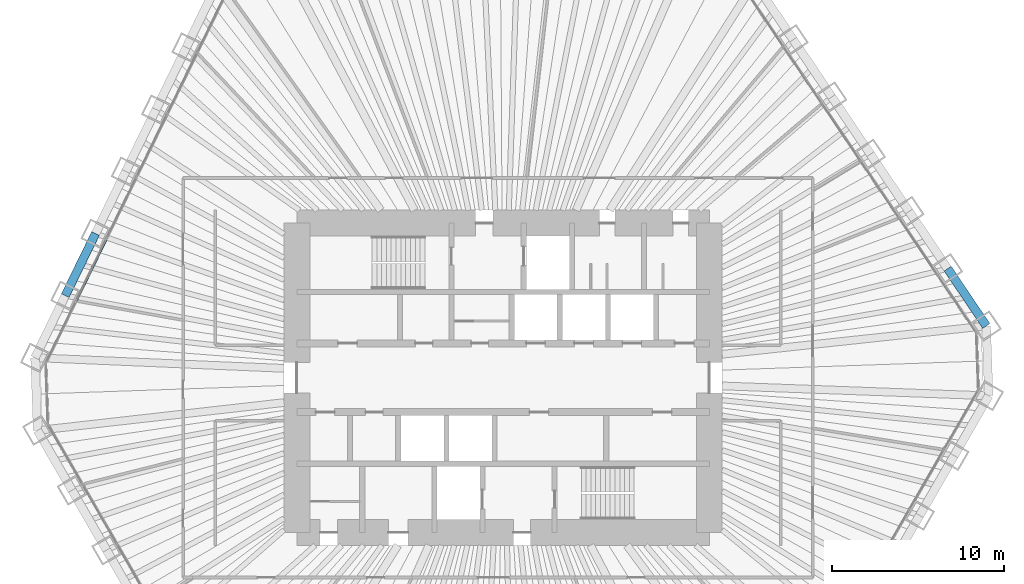
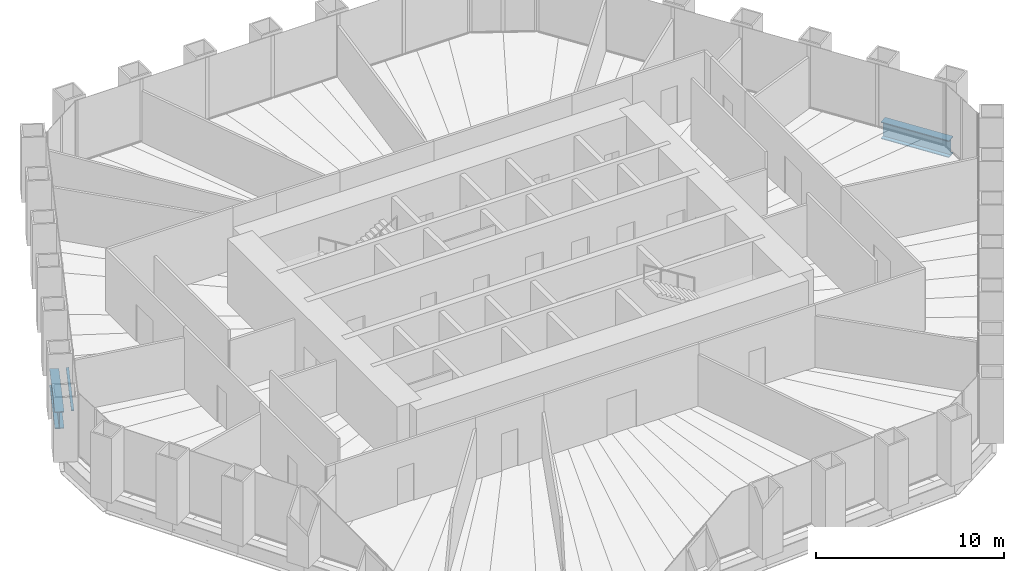
# One storey, part 5 of 13: 2 beams, 1 member, 1 element without a shape of its own.
"""IFC4 building model written with IfcOpenShell, lengths in metres."""

from ifc_helpers import new_model, si_unit, direction, frame, origin, origin_2d, place, context, subcontext, project, spatial, rectangle, i_section, extrude, material, material_profile, profile_set, type_object, element, aggregate, save


model = new_model("IFC4")

# Units and contexts
model_context = context("Model", 3, precision=1e-05, world=origin(), true_north=direction((0.0, 1.0)))
body_context = subcontext(model_context, "Body", "Model", "MODEL_VIEW")
ifc_project = project(units=[si_unit("LENGTHUNIT", "METRE"), si_unit("AREAUNIT", "SQUARE_METRE"), si_unit("VOLUMEUNIT", "CUBIC_METRE"), si_unit("PLANEANGLEUNIT", "RADIAN"), si_unit("MASSUNIT", "GRAM", prefix="KILO")], contexts=[model_context])

# Site, building, storey
site_placement = place(None, origin())
site = spatial("IfcSite", under=ifc_project, at=site_placement, CompositionType="ELEMENT")
building_placement = place(site_placement, origin())
building = spatial("IfcBuilding", under=site, at=building_placement, Name="Qingtian Harvest Tower", CompositionType="ELEMENT")
storey_placement = place(building_placement, frame((0.0, 0.0, 149.199951171875)))
storey = spatial("IfcBuildingStorey", under=building, at=storey_placement, Name="L31", CompositionType="ELEMENT", Elevation=149.199951171875)

# Beams
ifc_material_1 = material(Name="Steel SM570MC", Category="steel")
ifc_material_profile_1 = material_profile(ifc_material_1, i_section(OverallWidth=0.5, OverallDepth=1.10009765625, WebThickness=0.02490234375, FlangeThickness=0.050048828125, at=origin_2d()), Name="H1100x500x25x50")
ifc_profile_set_1 = profile_set([ifc_material_profile_1], Name="Steel SM570MC")
beam_type = type_object("IfcBeamType", Name="Spandrel beam SB2 H1100x500x25x50", PredefinedType="SPANDREL", material=ifc_profile_set_1)
for number, where, z_axis, x_axis, name in (
    (1, (25.8720703125, 6.3505859375, -0.550048828125), (0.55916400171, -0.829057066306, 0.0), (0.829057066306, 0.55916400171, 0.0), "Spandrel SB2 NE5"),
    (2, (-25.483154296875, 4.78125, -0.550048828125), (0.438396105405, 0.89878187274, 0.0), (-0.89878187274, 0.438396105405, 0.0), "Spandrel SB2 NW1"),
):
    element("IfcBeam", number, at=place(storey_placement, frame(where, z_axis=z_axis, x_axis=x_axis)), inside=storey, type_object=beam_type, Name=name, PredefinedType="SPANDREL", context=body_context, shape_type="SweptSolid", body=[
        extrude(i_section(OverallWidth=0.5, OverallDepth=1.10009765625, WebThickness=0.02490234375, FlangeThickness=0.050048828125, at=origin_2d()), origin(), (0.0, 0.0, 1.0), 4.01904296875),
    ])

# Curtain wall, member
ifc_material_2 = material(Name="Bronze-anodised aluminium curtain wall", Category="aluminium")
curtain_wall_type = type_object("IfcCurtainWallType", Name="Curtain wall CW4 office", PredefinedType="USERDEFINED", material=ifc_material_2)
curtain_wall_placement = place(storey_placement, origin())
curtain_wall = element("IfcCurtainWall", 3, at=curtain_wall_placement, inside=storey, type_object=curtain_wall_type, Name="Curtain wall CW4 L31 NW0-5", ObjectType="RECESSED CURTAIN WALL", PredefinedType="USERDEFINED")
ifc_material_3 = material(Name="Bronze-anodised aluminium transom", Category="aluminium")
ifc_material_profile_2 = material_profile(ifc_material_3, rectangle(XDim=0.14990234375, YDim=0.06494140625, at=origin_2d()), Name="AL 65x150")
ifc_profile_set_2 = profile_set([ifc_material_profile_2], Name="Bronze-anodised aluminium transom")
member_type = type_object("IfcMemberType", Name="Transom CWT 65x150", PredefinedType="USERDEFINED", material=ifc_profile_set_2)
member_placement = place(storey_placement, frame((-24.839599609375, 4.503662109375, 0.032470703125), z_axis=(0.438374972828, 0.898792180205, 0.0), x_axis=(-0.898792180205, 0.438374972828, 0.0)))
member = element("IfcMember", 4, at=member_placement, type_object=member_type, Name="CW4 transom 2.1", ObjectType="TRANSOM", PredefinedType="USERDEFINED", context=body_context, shape_type="SweptSolid", body=[
    extrude(rectangle(XDim=0.14990234375, YDim=0.06494140625, at=origin_2d()), origin(), (0.0, 0.0, 1.0), 3.9541015625),
])
aggregate(curtain_wall, [member])

save(model, "model.ifc")
